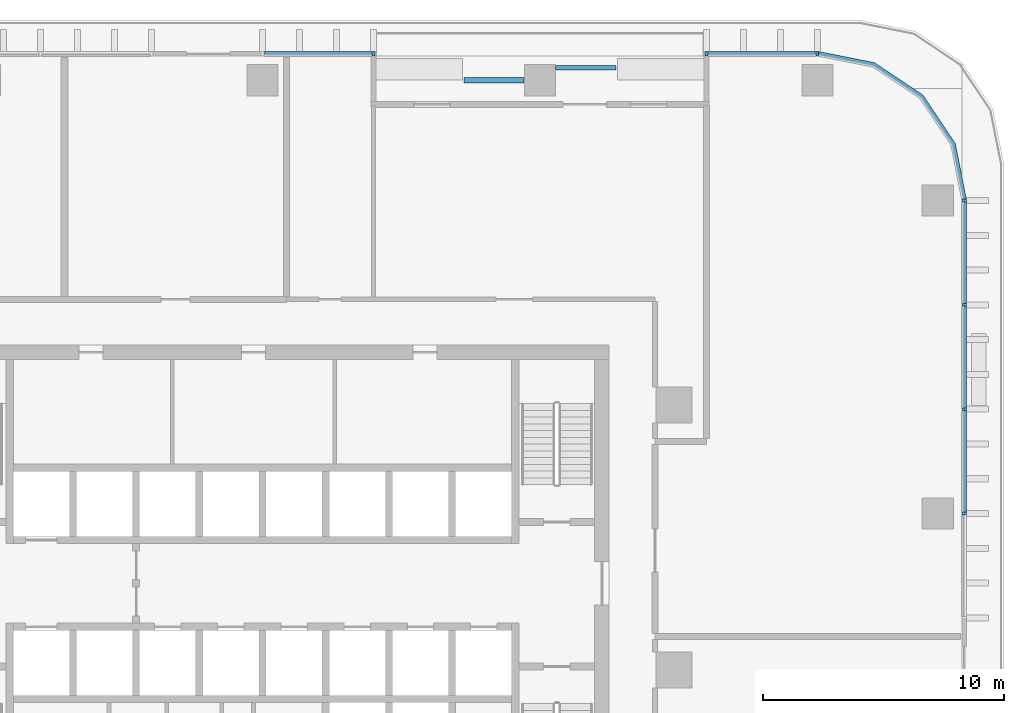
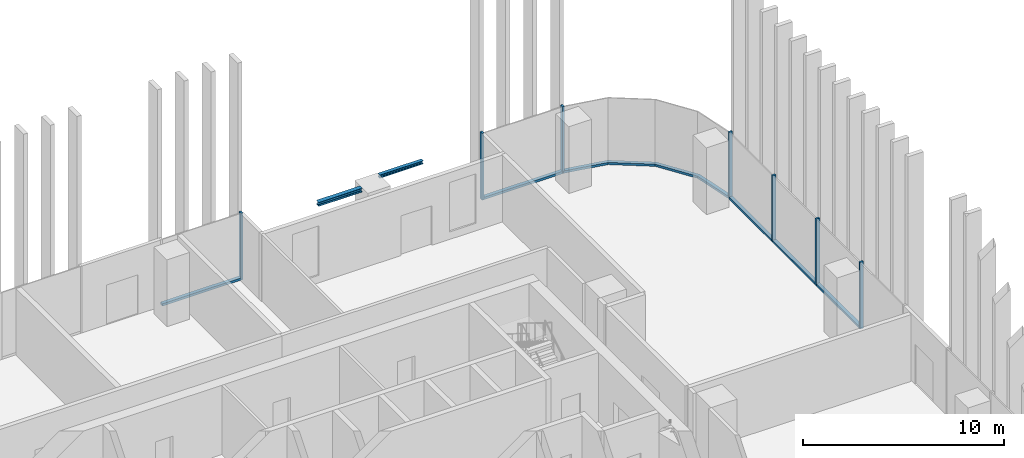
# One storey, part 5 of 18: 13 members, 2 beams, 4 elements without a shape of their own.
"""IFC4 building model written with IfcOpenShell, lengths in metres."""

from ifc_helpers import new_model, si_unit, direction, frame, origin, origin_2d, place, context, subcontext, project, spatial, polyline, rectangle, i_section, outline, extrude, material, material_profile, profile_set, type_object, element, aggregate, save


model = new_model("IFC4")

# Units and contexts
model_context = context("Model", 3, precision=1e-05, world=origin(), true_north=direction((0.0, 1.0)))
body_context = subcontext(model_context, "Body", "Model", "MODEL_VIEW")
ifc_project = project(units=[si_unit("LENGTHUNIT", "METRE"), si_unit("AREAUNIT", "SQUARE_METRE"), si_unit("VOLUMEUNIT", "CUBIC_METRE"), si_unit("PLANEANGLEUNIT", "RADIAN"), si_unit("MASSUNIT", "GRAM", prefix="KILO")], contexts=[model_context])

# Site, building, storey
site_placement = place(None, origin())
site = spatial("IfcSite", under=ifc_project, at=site_placement, CompositionType="ELEMENT")
building_placement = place(site_placement, origin())
building = spatial("IfcBuilding", under=site, at=building_placement, Name="Mopane Tessera Tower", CompositionType="ELEMENT")
storey_placement = place(building_placement, frame((0.0, 0.0, 94.60009765625)))
storey = spatial("IfcBuildingStorey", under=building, at=storey_placement, Name="L18", CompositionType="ELEMENT", Elevation=94.60009765625)

# Curtain wall, members
ifc_material_1 = material(Name="Aluminium frame", Category="aluminium")
curtain_wall_type = type_object("IfcCurtainWallType", Name="Lower tower unitised wall", PredefinedType="NOTDEFINED", material=ifc_material_1)
curtain_wall_1_placement = place(storey_placement, origin())
curtain_wall_1 = element("IfcCurtainWall", 1, at=curtain_wall_1_placement, inside=storey, type_object=curtain_wall_type, Name="e:cw:L18:E:5", PredefinedType="NOTDEFINED")
ifc_material_2 = material(Name="Aluminium frame", Category="aluminium")
ifc_material_profile_1 = material_profile(ifc_material_2, rectangle(XDim=0.110107421875, YDim=0.199951171875, at=origin_2d()))
ifc_profile_set_1 = profile_set([ifc_material_profile_1], Name="Aluminium frame")
member_type_1 = type_object("IfcMemberType", Name="Aluminium mullion 110 x 200", PredefinedType="MULLION", material=ifc_profile_set_1)
member_1_placement = place(storey_placement, frame((29.14990234375, 6.5, 0.0), z_axis=(0.0, 0.0, 1.0), x_axis=(0.0, 1.0, 0.0)))
member_1 = element("IfcMember", 2, at=member_1_placement, type_object=member_type_1, Name="e:cw:L18:E:5:mu6", PredefinedType="MULLION", context=body_context, shape_type="SweptSolid", body=[
    extrude(rectangle(XDim=0.110107421875, YDim=0.199951171875, at=origin_2d()), origin(), (0.0, 0.0, 1.0), 4.0498046875),
])
member_2_placement = place(storey_placement, frame((29.14990234375, 10.833251953125, 0.0), z_axis=(0.0, 0.0, 1.0), x_axis=(0.0, 1.0, 0.0)))
member_2 = element("IfcMember", 3, at=member_2_placement, type_object=member_type_1, Name="e:cw:L18:E:5:mu7", PredefinedType="MULLION", context=body_context, shape_type="SweptSolid", body=[
    extrude(rectangle(XDim=0.110107421875, YDim=0.199951171875, at=origin_2d()), origin(), (0.0, 0.0, 1.0), 4.0498046875),
])
member_3_placement = place(storey_placement, frame((29.14990234375, 15.166748046875, 0.0), z_axis=(0.0, 0.0, 1.0), x_axis=(0.0, 1.0, 0.0)))
member_3 = element("IfcMember", 4, at=member_3_placement, type_object=member_type_1, Name="e:cw:L18:E:5:mu8", PredefinedType="MULLION", context=body_context, shape_type="SweptSolid", body=[
    extrude(rectangle(XDim=0.110107421875, YDim=0.199951171875, at=origin_2d()), origin(), (0.0, 0.0, 1.0), 4.0498046875),
])
member_4_placement = place(storey_placement, frame((29.14990234375, 19.5, 0.0), z_axis=(0.0, 0.0, 1.0), x_axis=(0.0, 1.0, 0.0)))
member_4 = element("IfcMember", 5, at=member_4_placement, type_object=member_type_1, Name="e:cw:L18:E:5:mu9", PredefinedType="MULLION", context=body_context, shape_type="SweptSolid", body=[
    extrude(rectangle(XDim=0.110107421875, YDim=0.199951171875, at=origin_2d()), origin(), (0.0, 0.0, 1.0), 4.0498046875),
])

curtain_wall_2_placement = place(storey_placement, origin())
curtain_wall_2 = element("IfcCurtainWall", 6, at=curtain_wall_2_placement, inside=storey, type_object=curtain_wall_type, Name="e:cw:L18:N:0", PredefinedType="NOTDEFINED")
member_5_placement = place(storey_placement, frame((23.050048828125, 25.60009765625, 0.0), z_axis=(0.0, 0.0, 1.0), x_axis=(-1.0, 0.0, 0.0)))
member_5 = element("IfcMember", 7, at=member_5_placement, type_object=member_type_1, Name="e:cw:L18:N:0:mu0", PredefinedType="MULLION", context=body_context, shape_type="SweptSolid", body=[
    extrude(rectangle(XDim=0.110107421875, YDim=0.199951171875, at=origin_2d()), origin(), (0.0, 0.0, 1.0), 4.0498046875),
])
member_6_placement = place(storey_placement, frame((18.43994140625, 25.60009765625, 0.0), z_axis=(0.0, 0.0, 1.0), x_axis=(-1.0, 0.0, 0.0)))
member_6 = element("IfcMember", 8, at=member_6_placement, type_object=member_type_1, Name="e:cw:L18:N:0:mu1", PredefinedType="MULLION", context=body_context, shape_type="SweptSolid", body=[
    extrude(rectangle(XDim=0.110107421875, YDim=0.199951171875, at=origin_2d()), origin(), (0.0, 0.0, 1.0), 4.0498046875),
])

# Curtain wall, member
curtain_wall_3_placement = place(storey_placement, origin())
curtain_wall_3 = element("IfcCurtainWall", 9, at=curtain_wall_3_placement, inside=storey, type_object=curtain_wall_type, Name="e:cw:L18:N:4", PredefinedType="NOTDEFINED")
member_7_placement = place(storey_placement, frame((4.610107421875, 25.60009765625, 0.0), z_axis=(0.0, 0.0, 1.0), x_axis=(-1.0, 0.0, 0.0)))
member_7 = element("IfcMember", 10, at=member_7_placement, type_object=member_type_1, Name="e:cw:L18:N:4:mu4", PredefinedType="MULLION", context=body_context, shape_type="SweptSolid", body=[
    extrude(rectangle(XDim=0.110107421875, YDim=0.199951171875, at=origin_2d()), origin(), (0.0, 0.0, 1.0), 4.0498046875),
])

# Member
ifc_material_3 = material(Name="Aluminium frame", Category="aluminium")
ifc_material_profile_2 = material_profile(ifc_material_3, rectangle(XDim=0.199951171875, YDim=0.139892578125, at=origin_2d()))
ifc_profile_set_2 = profile_set([ifc_material_profile_2], Name="Aluminium frame")
member_type_2 = type_object("IfcMemberType", Name="Aluminium transom 200 x 140", PredefinedType="USERDEFINED", material=ifc_profile_set_2)
member_8_placement = place(storey_placement, frame((29.14990234375, 6.554931640625, 0.06982421875), z_axis=(0.0, 1.0, 0.0), x_axis=(-1.0, 0.0, 0.0)))
member_8 = element("IfcMember", 11, at=member_8_placement, type_object=member_type_2, Name="e:cw:L18:E:5:tr6", ObjectType="TRANSOM", PredefinedType="USERDEFINED", context=body_context, shape_type="SweptSolid", body=[
    extrude(rectangle(XDim=0.199951171875, YDim=0.139892578125, at=origin_2d()), origin(), (0.0, 0.0, 1.0), 4.223388671875),
])

member_9_placement = place(storey_placement, frame((29.14990234375, 10.888427734375, 0.06982421875), z_axis=(0.0, 1.0, 0.0), x_axis=(-1.0, 0.0, 0.0)))
member_9 = element("IfcMember", 12, at=member_9_placement, type_object=member_type_2, Name="e:cw:L18:E:5:tr7", ObjectType="TRANSOM", PredefinedType="USERDEFINED", context=body_context, shape_type="SweptSolid", body=[
    extrude(rectangle(XDim=0.199951171875, YDim=0.139892578125, at=origin_2d()), origin(), (0.0, 0.0, 1.0), 4.22314453125),
])

member_10_placement = place(storey_placement, frame((29.14990234375, 15.2216796875, 0.06982421875), z_axis=(0.0, 1.0, 0.0), x_axis=(-1.0, 0.0, 0.0)))
member_10 = element("IfcMember", 13, at=member_10_placement, type_object=member_type_2, Name="e:cw:L18:E:5:tr8", ObjectType="TRANSOM", PredefinedType="USERDEFINED", context=body_context, shape_type="SweptSolid", body=[
    extrude(rectangle(XDim=0.199951171875, YDim=0.139892578125, at=origin_2d()), origin(), (0.0, 0.0, 1.0), 4.223388671875),
])

aggregate(curtain_wall_1, [member_1, member_2, member_3, member_4, member_8, member_9, member_10])

# Curtain wall, member
curtain_wall_4_placement = place(storey_placement, origin())
curtain_wall_4 = element("IfcCurtainWall", 14, at=curtain_wall_4_placement, inside=storey, type_object=curtain_wall_type, Name="e:cw:L18:CE", PredefinedType="NOTDEFINED")
member_11_placement = place(storey_placement, origin())
member_11 = element("IfcMember", 15, at=member_11_placement, type_object=member_type_2, Name="e:cw:L18:CE:tr", ObjectType="TRANSOM", PredefinedType="USERDEFINED", context=body_context, shape_type="SweptSolid", body=[
    extrude(outline(polyline([(29.050048828125, 19.5), (28.59326171875, 21.796142578125), (27.292724609375, 23.74267578125), (25.34619140625, 25.043212890625), (23.050048828125, 25.5), (23.050048828125, 25.699951171875), (25.422607421875, 25.22802734375), (27.43408203125, 23.884033203125), (28.778076171875, 21.87255859375), (29.25, 19.5), (29.050048828125, 19.5)])), origin(), (0.0, 0.0, 1.0), 0.139892578125),
])
aggregate(curtain_wall_4, [member_11])

# Member
member_12_placement = place(storey_placement, frame((22.9951171875, 25.60009765625, 0.06982421875), z_axis=(-1.0, 0.0, 0.0), x_axis=(0.0, -1.0, 0.0)))
member_12 = element("IfcMember", 16, at=member_12_placement, type_object=member_type_2, Name="e:cw:L18:N:0:tr0", ObjectType="TRANSOM", PredefinedType="USERDEFINED", context=body_context, shape_type="SweptSolid", body=[
    extrude(rectangle(XDim=0.199951171875, YDim=0.139892578125, at=origin_2d()), origin(), (0.0, 0.0, 1.0), 4.5),
])

aggregate(curtain_wall_2, [member_5, member_6, member_12])

member_13_placement = place(storey_placement, frame((4.554931640625, 25.60009765625, 0.06982421875), z_axis=(-1.0, 0.0, 0.0), x_axis=(0.0, -1.0, 0.0)))
member_13 = element("IfcMember", 17, at=member_13_placement, type_object=member_type_2, Name="e:cw:L18:N:4:tr4", ObjectType="TRANSOM", PredefinedType="USERDEFINED", context=body_context, shape_type="SweptSolid", body=[
    extrude(rectangle(XDim=0.199951171875, YDim=0.139892578125, at=origin_2d()), origin(), (0.0, 0.0, 1.0), 4.5),
])

aggregate(curtain_wall_3, [member_7, member_13])

# Beams
ifc_material_4 = material(Name="Structural steel S460", Category="steel")
ifc_material_profile_3 = material_profile(ifc_material_4, i_section(OverallWidth=0.239990234375, OverallDepth=0.239990234375, WebThickness=0.010009765625, FlangeThickness=0.01708984375, FilletRadius=0.02099609375, at=origin_2d()))
ifc_profile_set_3 = profile_set([ifc_material_profile_3], Name="Structural steel S460")
beam_type_1 = type_object("IfcBeamType", Name="Terrace spandrel beam HE 240 B", PredefinedType="SPANDREL", material=ifc_profile_set_3)
beam_1_placement = place(storey_placement, frame((10.871826171875, 24.5, 3.929931640625), z_axis=(-1.0, 0.0, 0.0), x_axis=(0.0, -1.0, 0.0)))
element("IfcBeam", 18, at=beam_1_placement, inside=storey, type_object=beam_type_1, Name="Terrace spandrel beam N1 L19", PredefinedType="SPANDREL", context=body_context, shape_type="SweptSolid", body=[
    extrude(i_section(OverallWidth=0.239990234375, OverallDepth=0.239990234375, WebThickness=0.010009765625, FlangeThickness=0.01708984375, FilletRadius=0.02099609375, at=origin_2d()), origin(), (0.0, 0.0, 1.0), 2.5),
])
ifc_material_5 = material(Name="Structural steel S460", Category="steel")
ifc_material_profile_4 = material_profile(ifc_material_5, i_section(OverallWidth=0.199951171875, OverallDepth=0.199951171875, WebThickness=0.009033203125, FlangeThickness=0.014892578125, FilletRadius=0.01806640625, at=origin_2d()))
ifc_profile_set_4 = profile_set([ifc_material_profile_4], Name="Structural steel S460")
beam_type_2 = type_object("IfcBeamType", Name="Terrace trimmer beam HE 200 B", PredefinedType="BEAM", material=ifc_profile_set_4)
beam_2_placement = place(storey_placement, frame((12.177978515625, 25.02001953125, 3.949951171875), z_axis=(1.0, 0.0, 0.0), x_axis=(0.0, 1.0, 0.0)))
element("IfcBeam", 19, at=beam_2_placement, inside=storey, type_object=beam_type_2, Name="Terrace trimmer beam N1 L19", PredefinedType="BEAM", context=body_context, shape_type="SweptSolid", body=[
    extrude(i_section(OverallWidth=0.199951171875, OverallDepth=0.199951171875, WebThickness=0.009033203125, FlangeThickness=0.014892578125, FilletRadius=0.01806640625, at=origin_2d()), origin(), (0.0, 0.0, 1.0), 2.5),
])

save(model, "model.ifc")
